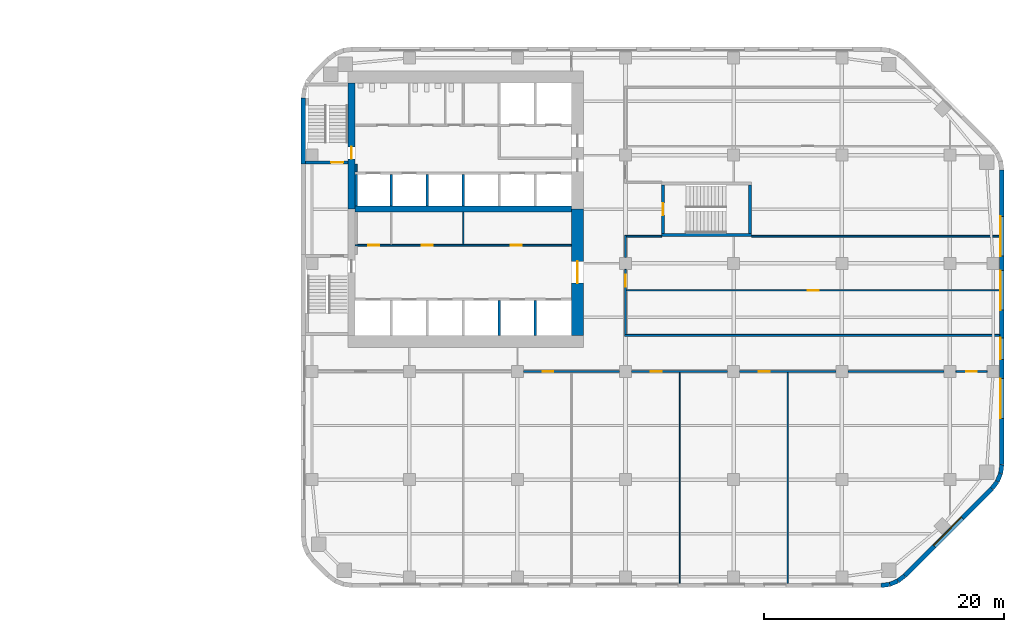
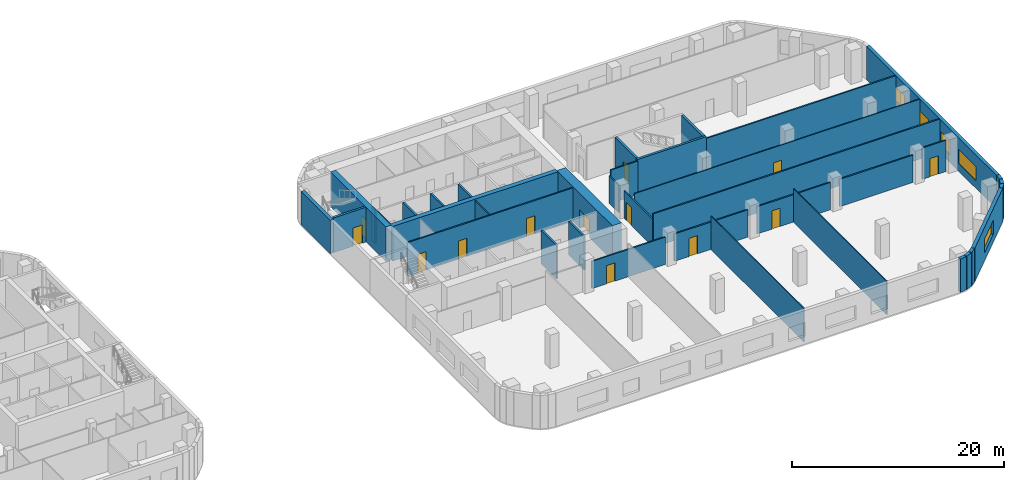
# One storey, part 9 of 15: 38 walls, 13 doors, 5 windows, 18 openings.
"""IFC4 building model written with IfcOpenShell, lengths in metres."""

import ifcopenshell
import ifcopenshell.guid

model = None  # the IFC model being written
_history = None  # IfcOwnerHistory: only IFC2X3 demands one
_inside = {}  # id of a spatial element -> (the spatial element, [elements in it])
_under = {}  # id of a project, library or spatial element -> (it, [spatial elements below it])
_declared = {}  # id of a project -> (the project, [libraries it declares])
_typed = {}  # id of a type object -> (the type object, [elements of that type])
_made_of = {}  # id of a material, layer set ... -> (it, [elements and type objects made of it])


def new_model(schema):
    """Start an empty IFC model of exactly this schema.

    Asked for "IFC4X3", IfcOpenShell would pick the latest addendum, in which some entities
    have other attributes; the version numbers below select the first issue.
    IFC2X3 requires an IfcOwnerHistory on every rooted entity: one is made here for all.
    """
    global model, _history
    if schema == "IFC4X3":
        model = ifcopenshell.file(schema_version=(4, 3, 0, 0))
    else:
        model = ifcopenshell.file(schema=schema)
    _inside.clear()
    _under.clear()
    _declared.clear()
    _typed.clear()
    _made_of.clear()
    _history = None
    if model.schema == "IFC2X3":
        org = make("IfcOrganization", Name="unknown")
        user = make(
            "IfcPersonAndOrganization",
            ThePerson=make("IfcPerson", FamilyName="unknown"),
            TheOrganization=org,
        )
        app = make(
            "IfcApplication",
            ApplicationDeveloper=org,
            Version="unknown",
            ApplicationFullName="unknown",
            ApplicationIdentifier="unknown",
        )
        _history = make(
            "IfcOwnerHistory",
            OwningUser=user,
            OwningApplication=app,
            ChangeAction="ADDED",
            CreationDate=0,
        )
    return model


def make(cls, **values):
    """One entity of the class cls with the attributes given. An attribute that is None is left unset."""
    return model.create_entity(
        cls, **{name: value for name, value in values.items() if value is not None}
    )


def rooted(cls, **values):
    """An entity with a GlobalId (a new one), such as an element, a storey or a relation."""
    return make(cls, GlobalId=ifcopenshell.guid.new(), OwnerHistory=_history, **values)


def si_unit(unit_type, name, prefix=None):
    """IfcSIUnit, for example si_unit("LENGTHUNIT", "METRE", prefix="MILLI")."""
    return make("IfcSIUnit", UnitType=unit_type, Prefix=prefix, Name=name)


def assignment(units):
    """IfcUnitAssignment: the units of a project."""
    return None if units is None else make("IfcUnitAssignment", Units=units)


def point(xyz):
    """IfcCartesianPoint."""
    return None if xyz is None else make("IfcCartesianPoint", Coordinates=xyz)


def direction(xyz):
    """IfcDirection."""
    return None if xyz is None else make("IfcDirection", DirectionRatios=xyz)


def frame(location, z_axis=None, x_axis=None):
    """IfcAxis2Placement3D, a coordinate frame: its origin and axes. An axis left out is left unset."""
    return make(
        "IfcAxis2Placement3D",
        Location=point(location),
        Axis=direction(z_axis),
        RefDirection=direction(x_axis),
    )


def frame_2d(location, x_axis=None):
    """IfcAxis2Placement2D, a coordinate frame in the plane: its origin and x axis."""
    return make(
        "IfcAxis2Placement2D", Location=point(location), RefDirection=direction(x_axis)
    )


def origin():
    """The frame at (0, 0, 0) with its axes left unset."""
    return frame((0.0, 0.0, 0.0))


def place(relative_to, where):
    """IfcLocalPlacement: puts the frame where relative to a parent placement (None: the world)."""
    return make(
        "IfcLocalPlacement", PlacementRelTo=relative_to, RelativePlacement=where
    )


def context(
    kind, dimensions, precision=None, world=None, true_north=None, identifier=None
):
    """IfcGeometricRepresentationContext, for example the 3D "Model" context."""
    return make(
        "IfcGeometricRepresentationContext",
        ContextIdentifier=identifier,
        ContextType=kind,
        CoordinateSpaceDimension=dimensions,
        Precision=precision,
        WorldCoordinateSystem=world,
        TrueNorth=true_north,
    )


def subcontext(parent, identifier, kind, view, scale=None):
    """IfcGeometricRepresentationSubContext, for example "Body" below "Model"."""
    return make(
        "IfcGeometricRepresentationSubContext",
        ContextIdentifier=identifier,
        ContextType=kind,
        ParentContext=parent,
        TargetScale=scale,
        TargetView=view,
    )


def project(units=None, contexts=None):
    """IfcProject with its units and contexts."""
    return rooted(
        "IfcProject",
        Name="project",
        RepresentationContexts=contexts,
        UnitsInContext=assignment(units),
    )


def spatial(cls, under=None, at=None, **own):
    """A site, building, storey or space (cls), placed at a placement, below another one or the project."""
    s = rooted(cls, ObjectPlacement=at, **own)
    if under is not None:
        _under.setdefault(under.id(), (under, []))[1].append(s)
    return s


def profile(cls, at=None, kind="AREA", **sizes):
    """A parametric profile (cls). Its sizes go by their IFC names, for example OverallWidth=200.0."""
    return make(cls, ProfileType=kind, Position=at, **sizes)


def rectangle(**sizes):
    """IfcRectangleProfileDef."""
    return profile("IfcRectangleProfileDef", **sizes)


def extrude(swept, where, along, depth):
    """IfcExtrudedAreaSolid: the profile swept, set in the frame where, extruded along a direction by depth."""
    return make(
        "IfcExtrudedAreaSolid",
        SweptArea=swept,
        Position=where,
        ExtrudedDirection=direction(along),
        Depth=depth,
    )


def shape(context_of_items, identifier, shape_type, items):
    """IfcShapeRepresentation: the items that make up one representation, for example the "Body"."""
    return make(
        "IfcShapeRepresentation",
        ContextOfItems=context_of_items,
        RepresentationIdentifier=identifier,
        RepresentationType=shape_type,
        Items=items,
    )


def material(Name=None, Category=None):
    """IfcMaterial."""
    return make("IfcMaterial", Name=Name, Category=Category)


def layer(
    of_material, thickness, ventilated=None, Name=None, Category=None, Priority=None
):
    """IfcMaterialLayer: one layer of a wall or slab, of a material (None: an air gap)."""
    return make(
        "IfcMaterialLayer",
        Material=of_material,
        LayerThickness=thickness,
        IsVentilated=ventilated,
        Name=Name,
        Category=Category,
        Priority=Priority,
    )


def layer_set(layers, Name=None):
    """IfcMaterialLayerSet."""
    return make("IfcMaterialLayerSet", MaterialLayers=layers, LayerSetName=Name)


def made_of(thing, what):
    """Note that an element or type object is made of a material, layer set ...; save() writes the relation."""
    if what is not None:
        _made_of.setdefault(what.id(), (what, []))[1].append(thing)
    return thing


def type_object(cls, material=None, **own):
    """A type object (cls), such as IfcWallType, which elements share."""
    return made_of(rooted(cls, **own), material)


def element(
    cls,
    number,
    at=None,
    inside=None,
    cuts=None,
    type_object=None,
    material=None,
    context=None,
    identifier="Body",
    shape_type=None,
    held_by="IfcProductDefinitionShape",
    body=None,
    shapes=None,
    **own,
):
    """One element of the class cls, such as IfcWall. Its Tag is "e" and its number.

    at: its placement. inside: the storey or other place that contains it. cuts: it is an
    opening in that element (IfcRelVoidsElement). A single representation is given by context,
    identifier, shape_type and body (its items); several are given by shapes. held_by: the class
    of the entity that holds the representations. save() writes the other relations.
    """
    e = rooted(cls, Tag="e%d" % number, ObjectPlacement=at, **own)
    if body is not None:
        shapes = [shape(context, identifier, shape_type, body)]
    if shapes is not None:
        e.Representation = make(held_by, Representations=shapes)
    if inside is not None:
        _inside.setdefault(inside.id(), (inside, []))[1].append(e)
    if cuts is not None:
        rooted(
            "IfcRelVoidsElement", RelatingBuildingElement=cuts, RelatedOpeningElement=e
        )
    if type_object is not None:
        _typed.setdefault(type_object.id(), (type_object, []))[1].append(e)
    return made_of(e, material)


def fill(opening, filler):
    """IfcRelFillsElement: the door or window that sits in an opening."""
    return rooted(
        "IfcRelFillsElement",
        RelatingOpeningElement=opening,
        RelatedBuildingElement=filler,
    )


def aggregate(whole, parts):
    """IfcRelAggregates: a whole, such as a stair, and the parts it consists of."""
    return rooted("IfcRelAggregates", RelatingObject=whole, RelatedObjects=parts)


def save(model, path):
    """Write the relations noted so far, then the file.

    IfcRelAggregates (storeys below a building ...), IfcRelContainedInSpatialStructure (elements
    in a storey), IfcRelDefinesByType, IfcRelAssociatesMaterial and IfcRelDeclares: one each for
    every whole, place, type object, material and project.
    """
    for whole, parts in _under.values():
        aggregate(whole, parts)
    for where, things in _inside.values():
        rooted(
            "IfcRelContainedInSpatialStructure",
            RelatedElements=things,
            RelatingStructure=where,
        )
    for kind, things in _typed.values():
        rooted("IfcRelDefinesByType", RelatedObjects=things, RelatingType=kind)
    for what, things in _made_of.values():
        rooted("IfcRelAssociatesMaterial", RelatedObjects=things, RelatingMaterial=what)
    for by, libraries in _declared.values():
        rooted("IfcRelDeclares", RelatingContext=by, RelatedDefinitions=libraries)
    model.write(path)


model = new_model("IFC4")

# Units and contexts
model_context = context("Model", 3, precision=1e-05, world=origin(), true_north=direction((0.0, 1.0)))
body_context = subcontext(model_context, "Body", "Model", "MODEL_VIEW")
ifc_project = project(units=[si_unit("LENGTHUNIT", "METRE"), si_unit("AREAUNIT", "SQUARE_METRE"), si_unit("VOLUMEUNIT", "CUBIC_METRE"), si_unit("PLANEANGLEUNIT", "RADIAN"), si_unit("MASSUNIT", "GRAM", prefix="KILO")], contexts=[model_context])

# Site, building, storey
site_placement = place(None, origin())
site = spatial("IfcSite", under=ifc_project, at=site_placement, CompositionType="ELEMENT")
building_placement = place(site_placement, origin())
building = spatial("IfcBuilding", under=site, at=building_placement, Name="Cinnabar Reach Civic Tower", CompositionType="ELEMENT")
storey_placement = place(building_placement, frame((0.0, 0.0, 63.0)))
storey = spatial("IfcBuildingStorey", under=building, at=storey_placement, Name="L14", CompositionType="ELEMENT", Elevation=63.0)

# Walls
ifc_material_1 = material(Name="Facing brick with insulated backing", Category="masonry")
ifc_layer_1 = layer(ifc_material_1, 0.36)
ifc_layer_set_1 = layer_set([ifc_layer_1], Name="Brick corner wall")
wall_type_1 = type_object("IfcWallType", Name="Brick corner wall", PredefinedType="STANDARD", material=ifc_layer_set_1)
for number, where, z_axis, x_axis, name in (
    (1, (48.2686, 0.183, 0.0), (0.0, 0.0, 1.0), (0.99144092581, 0.13055608231, 0.0), "Brick corner wall"),
    (2, (48.9973, 0.2819, 0.0), (0.0, 0.0, 1.0), (0.923871547278, 0.382702709855, 0.0), "Brick corner wall"),
):
    element("IfcWall", number, at=place(storey_placement, frame(where, z_axis=z_axis, x_axis=x_axis)), inside=storey, type_object=wall_type_1, Name=name, PredefinedType="STANDARD", context=body_context, shape_type="SweptSolid", body=[
        extrude(rectangle(XDim=0.7131, YDim=0.36, at=frame_2d((0.3565, 0.0))), origin(), (0.0, 0.0, 1.0), 3.85),
    ])
for number, where, z_axis, x_axis, name in (
    (3, (49.6755, 0.566, 0.0), (0.0, 0.0, 1.0), (0.793321924995, 0.608802368033, 0.0), "Brick corner wall"),
    (4, (57.4998, 8.2587, 0.0), (0.0, 0.0, 1.0), (0.608802368033, 0.793321924995, 0.0), "Brick corner wall"),
):
    element("IfcWall", number, at=place(storey_placement, frame(where, z_axis=z_axis, x_axis=x_axis)), inside=storey, type_object=wall_type_1, Name=name, PredefinedType="STANDARD", context=body_context, shape_type="SweptSolid", body=[
        extrude(rectangle(XDim=0.7132, YDim=0.36, at=frame_2d((0.3566, 0.0))), origin(), (0.0, 0.0, 1.0), 3.85),
    ])
for number, where, z_axis, x_axis, name in (
    (5, (57.9452, 8.8439, 0.0), (0.0, 0.0, 1.0), (0.382702709855, 0.923871547278, 0.0), "Brick corner wall"),
    (6, (58.2239, 9.5244, 0.0), (0.0, 0.0, 1.0), (0.13055608231, 0.99144092581, 0.0), "Brick corner wall"),
):
    element("IfcWall", number, at=place(storey_placement, frame(where, z_axis=z_axis, x_axis=x_axis)), inside=storey, type_object=wall_type_1, Name=name, PredefinedType="STANDARD", context=body_context, shape_type="SweptSolid", body=[
        extrude(rectangle(XDim=0.7131, YDim=0.36, at=frame_2d((0.3565, 0.0))), origin(), (0.0, 0.0, 1.0), 3.85),
    ])

# Wall, opening, window
ifc_layer_2 = layer(ifc_material_1, 0.36)
ifc_layer_set_2 = layer_set([ifc_layer_2], Name="Brick pier and spandrel wall")
wall_type_2 = type_object("IfcWallType", Name="Brick pier and spandrel wall", PredefinedType="STANDARD", material=ifc_layer_set_2)
wall_1_placement = place(storey_placement, frame((50.2514, 1.006, 0.0), z_axis=(0.0, 0.0, 1.0), x_axis=(0.707106781187, 0.707106781187, 0.0)))
wall_1 = element("IfcWall", 7, at=wall_1_placement, inside=storey, type_object=wall_type_2, Name="Brick facade wall", PredefinedType="STANDARD", context=body_context, shape_type="SweptSolid", body=[
    extrude(rectangle(XDim=10.2426, YDim=0.36, at=frame_2d((5.1213, 0.0))), origin(), (0.0, 0.0, 1.0), 3.85),
])
opening_1_placement = place(wall_1_placement, frame((3.4713, 0.0, 0.9)))
opening_1 = element("IfcOpeningElement", 8, at=opening_1_placement, cuts=wall_1, Name="Opening W1249", PredefinedType="OPENING", context=body_context, shape_type="SweptSolid", body=[
    extrude(rectangle(XDim=3.3, YDim=1.6, at=frame_2d((1.65, 0.8))), frame((0.0, 0.19, 0.0), z_axis=(0.0, -1.0, 0.0), x_axis=(1.0, 0.0, 0.0)), (0.0, 0.0, 1.0), 0.38),
])
ifc_material_2 = material(Name="Clear double glazing in aluminium frame", Category="aluminium")
window_type_1 = type_object("IfcWindowType", Name="Deep-set window A", PartitioningType="SINGLE_PANEL", PredefinedType="WINDOW", material=ifc_material_2)
window_1_placement = place(opening_1_placement, origin())
window_1 = element("IfcWindow", 9, at=window_1_placement, inside=storey, type_object=window_type_1, Name="Window southeast face", OverallHeight=1.6, OverallWidth=3.3, PartitioningType="SINGLE_PANEL", PredefinedType="WINDOW", context=body_context, shape_type="SweptSolid", body=[
    extrude(rectangle(XDim=3.3, YDim=1.6, at=frame_2d((1.65, 0.8))), frame((0.0, 0.13, 0.0), z_axis=(0.0, -1.0, 0.0), x_axis=(1.0, 0.0, 0.0)), (0.0, 0.0, 1.0), 0.06),
])
fill(opening_1, window_1)

# Wall, openings, windows
wall_2_placement = place(storey_placement, frame((58.32, 10.2426, 0.0), z_axis=(0.0, 0.0, 1.0), x_axis=(0.0, 1.0, 0.0)))
wall_2 = element("IfcWall", 10, at=wall_2_placement, inside=storey, type_object=wall_type_2, Name="Brick facade wall", PredefinedType="STANDARD", context=body_context, shape_type="SweptSolid", body=[
    extrude(rectangle(XDim=24.5148, YDim=0.36, at=frame_2d((12.2574, 0.0))), origin(), (0.0, 0.0, 1.0), 3.85),
])
opening_2_placement = place(wall_2_placement, frame((3.8574, 0.0, 0.9)))
opening_2 = element("IfcOpeningElement", 11, at=opening_2_placement, cuts=wall_2, Name="Opening W1250", PredefinedType="OPENING", context=body_context, shape_type="SweptSolid", body=[
    extrude(rectangle(XDim=3.3, YDim=1.6, at=frame_2d((1.65, 0.8))), frame((0.0, 0.19, 0.0), z_axis=(0.0, -1.0, 0.0), x_axis=(1.0, 0.0, 0.0)), (0.0, 0.0, 1.0), 0.38),
])
opening_3_placement = place(wall_2_placement, frame((8.7574, 0.0, 0.9)))
opening_3 = element("IfcOpeningElement", 12, at=opening_3_placement, cuts=wall_2, Name="Opening W1251", PredefinedType="OPENING", context=body_context, shape_type="SweptSolid", body=[
    extrude(rectangle(XDim=1.8, YDim=1.6, at=frame_2d((0.9, 0.8))), frame((0.0, 0.19, 0.0), z_axis=(0.0, -1.0, 0.0), x_axis=(1.0, 0.0, 0.0)), (0.0, 0.0, 1.0), 0.38),
])
opening_4_placement = place(wall_2_placement, frame((12.8574, 0.0, 0.9)))
opening_4 = element("IfcOpeningElement", 13, at=opening_4_placement, cuts=wall_2, Name="Opening W1252", PredefinedType="OPENING", context=body_context, shape_type="SweptSolid", body=[
    extrude(rectangle(XDim=3.3, YDim=1.6, at=frame_2d((1.65, 0.8))), frame((0.0, 0.19, 0.0), z_axis=(0.0, -1.0, 0.0), x_axis=(1.0, 0.0, 0.0)), (0.0, 0.0, 1.0), 0.38),
])
opening_5_placement = place(wall_2_placement, frame((17.3574, 0.0, 0.9)))
opening_5 = element("IfcOpeningElement", 14, at=opening_5_placement, cuts=wall_2, Name="Opening W1253", PredefinedType="OPENING", context=body_context, shape_type="SweptSolid", body=[
    extrude(rectangle(XDim=3.3, YDim=1.6, at=frame_2d((1.65, 0.8))), frame((0.0, 0.19, 0.0), z_axis=(0.0, -1.0, 0.0), x_axis=(1.0, 0.0, 0.0)), (0.0, 0.0, 1.0), 0.38),
])
window_2_placement = place(opening_2_placement, origin())
window_2 = element("IfcWindow", 15, at=window_2_placement, inside=storey, type_object=window_type_1, Name="Window east face", OverallHeight=1.6, OverallWidth=3.3, PartitioningType="SINGLE_PANEL", PredefinedType="WINDOW", context=body_context, shape_type="SweptSolid", body=[
    extrude(rectangle(XDim=3.3, YDim=1.6, at=frame_2d((1.65, 0.8))), frame((0.0, 0.13, 0.0), z_axis=(0.0, -1.0, 0.0), x_axis=(1.0, 0.0, 0.0)), (0.0, 0.0, 1.0), 0.06),
])
fill(opening_2, window_2)
window_3_placement = place(opening_4_placement, origin())
window_3 = element("IfcWindow", 16, at=window_3_placement, inside=storey, type_object=window_type_1, Name="Window east face", OverallHeight=1.6, OverallWidth=3.3, PartitioningType="SINGLE_PANEL", PredefinedType="WINDOW", context=body_context, shape_type="SweptSolid", body=[
    extrude(rectangle(XDim=3.3, YDim=1.6, at=frame_2d((1.65, 0.8))), frame((0.0, 0.13, 0.0), z_axis=(0.0, -1.0, 0.0), x_axis=(1.0, 0.0, 0.0)), (0.0, 0.0, 1.0), 0.06),
])
fill(opening_4, window_3)
window_4_placement = place(opening_5_placement, origin())
window_4 = element("IfcWindow", 17, at=window_4_placement, inside=storey, type_object=window_type_1, Name="Window east face", OverallHeight=1.6, OverallWidth=3.3, PartitioningType="SINGLE_PANEL", PredefinedType="WINDOW", context=body_context, shape_type="SweptSolid", body=[
    extrude(rectangle(XDim=3.3, YDim=1.6, at=frame_2d((1.65, 0.8))), frame((0.0, 0.13, 0.0), z_axis=(0.0, -1.0, 0.0), x_axis=(1.0, 0.0, 0.0)), (0.0, 0.0, 1.0), 0.06),
])
fill(opening_5, window_4)
window_type_2 = type_object("IfcWindowType", Name="Deep-set window D", PartitioningType="SINGLE_PANEL", PredefinedType="WINDOW", material=ifc_material_2)
window_5_placement = place(opening_3_placement, origin())
window_5 = element("IfcWindow", 18, at=window_5_placement, inside=storey, type_object=window_type_2, Name="Window east face", OverallHeight=1.6, OverallWidth=1.8, PartitioningType="SINGLE_PANEL", PredefinedType="WINDOW", context=body_context, shape_type="SweptSolid", body=[
    extrude(rectangle(XDim=1.8, YDim=1.6, at=frame_2d((0.9, 0.8))), frame((0.0, 0.13, 0.0), z_axis=(0.0, -1.0, 0.0), x_axis=(1.0, 0.0, 0.0)), (0.0, 0.0, 1.0), 0.06),
])
fill(opening_3, window_5)

# Wall
wall_3_placement = place(storey_placement, frame((0.18, 40.7574, 0.0), z_axis=(0.0, 0.0, 1.0), x_axis=(0.0, -1.0, 0.0)))
element("IfcWall", 19, at=wall_3_placement, inside=storey, type_object=wall_type_2, Name="Brick facade wall", PredefinedType="STANDARD", context=body_context, shape_type="SweptSolid", body=[
    extrude(rectangle(XDim=5.5074, YDim=0.36, at=frame_2d((2.7537, 0.0))), origin(), (0.0, 0.0, 1.0), 3.85),
])

# Wall, opening, door
ifc_material_3 = material(Name="Concrete C70", Category="concrete")
ifc_layer_3 = layer(ifc_material_3, 1.0)
ifc_layer_set_3 = layer_set([ifc_layer_3], Name="Core wall 1000 EI 180")
wall_type_3 = type_object("IfcWallType", Name="Core wall 1000 EI 180", PredefinedType="SOLIDWALL", material=ifc_layer_set_3)
wall_4_placement = place(storey_placement, frame((23.0, 21.0, 0.0), z_axis=(0.0, 0.0, 1.0), x_axis=(0.0, 1.0, 0.0)))
wall_4 = element("IfcWall", 20, at=wall_4_placement, inside=storey, type_object=wall_type_3, Name="Core wall T1 L14 E", PredefinedType="SOLIDWALL", context=body_context, shape_type="SweptSolid", body=[
    extrude(rectangle(XDim=10.5, YDim=1.0, at=frame_2d((5.25, 0.0))), origin(), (0.0, 0.0, 1.0), 4.0),
])
opening_6_placement = place(wall_4_placement, frame((4.35, 0.0, 0.0)))
opening_6 = element("IfcOpeningElement", 21, at=opening_6_placement, cuts=wall_4, Name="Opening D3574", PredefinedType="OPENING", context=body_context, shape_type="SweptSolid", body=[
    extrude(rectangle(XDim=1.8, YDim=2.1, at=frame_2d((0.9, 1.05))), frame((0.0, 0.51, 0.0), z_axis=(0.0, -1.0, 0.0), x_axis=(1.0, 0.0, 0.0)), (0.0, 0.0, 1.0), 1.02),
])
ifc_material_4 = material(Name="Timber door leaf in steel frame", Category="steel")
door_type_1 = type_object("IfcDoorType", Name="Double swing door 1800 x 2100 T1", OperationType="DOUBLE_DOOR_DOUBLE_SWING", PredefinedType="DOOR", material=ifc_material_4)
door_1_placement = place(opening_6_placement, origin())
door_1 = element("IfcDoor", 22, at=door_1_placement, inside=storey, type_object=door_type_1, Name="Door D3574", OperationType="DOUBLE_DOOR_DOUBLE_SWING", OverallHeight=2.1, OverallWidth=1.8, PredefinedType="DOOR", context=body_context, shape_type="SweptSolid", body=[
    extrude(rectangle(XDim=1.8, YDim=2.1, at=frame_2d((0.9, 1.05))), frame((0.0, 0.025, 0.0), z_axis=(0.0, -1.0, 0.0), x_axis=(1.0, 0.0, 0.0)), (0.0, 0.0, 1.0), 0.05),
])
fill(opening_6, door_1)

# Wall
ifc_material_5 = material(Name="Concrete C60", Category="concrete")
ifc_layer_4 = layer(ifc_material_5, 0.5)
ifc_layer_set_4 = layer_set([ifc_layer_4], Name="Core wall 500 EI 180")
wall_type_4 = type_object("IfcWallType", Name="Core wall 500 EI 180", PredefinedType="SOLIDWALL", material=ifc_layer_set_4)
wall_5_placement = place(storey_placement, frame((4.5, 31.5, 0.0), z_axis=(0.0, 0.0, 1.0), x_axis=(1.0, 0.0, 0.0)))
element("IfcWall", 23, at=wall_5_placement, inside=storey, type_object=wall_type_4, Name="Core spine wall T1 L14", PredefinedType="SOLIDWALL", context=body_context, shape_type="SweptSolid", body=[
    extrude(rectangle(XDim=18.0, YDim=0.5, at=frame_2d((9.0, 0.0))), origin(), (0.0, 0.0, 1.0), 4.0),
])

# Wall, opening, door
ifc_layer_5 = layer(ifc_material_3, 0.6)
ifc_layer_set_5 = layer_set([ifc_layer_5], Name="Core wall 600 EI 180")
wall_type_5 = type_object("IfcWallType", Name="Core wall 600 EI 180", PredefinedType="SOLIDWALL", material=ifc_layer_set_5)
wall_6_placement = place(storey_placement, frame((4.2, 42.0, 0.0), z_axis=(0.0, 0.0, 1.0), x_axis=(0.0, -1.0, 0.0)))
wall_6 = element("IfcWall", 24, at=wall_6_placement, inside=storey, type_object=wall_type_5, Name="Core wall T1 L14 W", PredefinedType="SOLIDWALL", context=body_context, shape_type="SweptSolid", body=[
    extrude(rectangle(XDim=10.5, YDim=0.6, at=frame_2d((5.25, 0.0))), origin(), (0.0, 0.0, 1.0), 4.0),
])
opening_7_placement = place(wall_6_placement, frame((5.3, 0.0, 0.0)))
opening_7 = element("IfcOpeningElement", 25, at=opening_7_placement, cuts=wall_6, Name="Opening D3560", PredefinedType="OPENING", context=body_context, shape_type="SweptSolid", body=[
    extrude(rectangle(XDim=1.0, YDim=2.1, at=frame_2d((0.5, 1.05))), frame((0.0, 0.31, 0.0), z_axis=(0.0, -1.0, 0.0), x_axis=(1.0, 0.0, 0.0)), (0.0, 0.0, 1.0), 0.62),
])
door_type_2 = type_object("IfcDoorType", Name="Stair door 1000 x 2100 T1", OperationType="SINGLE_SWING_LEFT", PredefinedType="DOOR", material=ifc_material_4)
door_2_placement = place(opening_7_placement, frame((1.0, 0.0, 0.0), z_axis=(0.0, 0.0, 1.0), x_axis=(-1.0, 0.0, 0.0)))
door_2 = element("IfcDoor", 26, at=door_2_placement, inside=storey, type_object=door_type_2, Name="Door D3560", OperationType="SINGLE_SWING_LEFT", OverallHeight=2.1, OverallWidth=1.0, PredefinedType="DOOR", context=body_context, shape_type="SweptSolid", body=[
    extrude(rectangle(XDim=1.0, YDim=2.1, at=frame_2d((0.5, 1.05))), frame((0.0, 0.025, 0.0), z_axis=(0.0, -1.0, 0.0), x_axis=(1.0, 0.0, 0.0)), (0.0, 0.0, 1.0), 0.05),
])
fill(opening_7, door_2)

ifc_material_6 = material(Name="Gypsum board on steel studs, double layer", Category="steel")
ifc_layer_6 = layer(ifc_material_6, 0.15)
ifc_layer_set_6 = layer_set([ifc_layer_6], Name="Corridor wall 150 T1")
wall_type_6 = type_object("IfcWallType", Name="Corridor wall 150 T1", PredefinedType="PARTITIONING", material=ifc_layer_set_6)
wall_7_placement = place(storey_placement, frame((54.5, 18.0, 0.0), z_axis=(0.0, 0.0, 1.0), x_axis=(1.0, 0.0, 0.0)))
wall_7 = element("IfcWall", 27, at=wall_7_placement, inside=storey, type_object=wall_type_6, Name="Corridor wall 19", PredefinedType="PARTITIONING", context=body_context, shape_type="SweptSolid", body=[
    extrude(rectangle(XDim=2.6, YDim=0.15, at=frame_2d((1.3, 0.0))), origin(), (0.0, 0.0, 1.0), 3.602),
])
opening_8_placement = place(wall_7_placement, frame((0.85, 0.0, 0.0)))
opening_8 = element("IfcOpeningElement", 28, at=opening_8_placement, cuts=wall_7, Name="Opening D3593", PredefinedType="OPENING", context=body_context, shape_type="SweptSolid", body=[
    extrude(rectangle(XDim=0.9, YDim=2.1, at=frame_2d((0.45, 1.05))), frame((0.0, 0.085, 0.0), z_axis=(0.0, -1.0, 0.0), x_axis=(1.0, 0.0, 0.0)), (0.0, 0.0, 1.0), 0.17),
])
door_type_3 = type_object("IfcDoorType", Name="Single swing door 900 x 2100 corridor T1", OperationType="SINGLE_SWING_LEFT", PredefinedType="DOOR", material=ifc_material_4)
door_3_placement = place(opening_8_placement, frame((0.9, 0.0, 0.0), z_axis=(0.0, 0.0, 1.0), x_axis=(-1.0, 0.0, 0.0)))
door_3 = element("IfcDoor", 29, at=door_3_placement, inside=storey, type_object=door_type_3, Name="Door D3593", OperationType="SINGLE_SWING_LEFT", OverallHeight=2.1, OverallWidth=0.9, PredefinedType="DOOR", context=body_context, shape_type="SweptSolid", body=[
    extrude(rectangle(XDim=0.9, YDim=2.1, at=frame_2d((0.45, 1.05))), frame((0.0, 0.025, 0.0), z_axis=(0.0, -1.0, 0.0), x_axis=(1.0, 0.0, 0.0)), (0.0, 0.0, 1.0), 0.05),
])
fill(opening_8, door_3)

# Wall
wall_8_placement = place(storey_placement, frame((45.5, 18.0, 0.0), z_axis=(0.0, 0.0, 1.0), x_axis=(1.0, 0.0, 0.0)))
element("IfcWall", 30, at=wall_8_placement, inside=storey, type_object=wall_type_6, Name="Corridor wall 20", PredefinedType="PARTITIONING", context=body_context, shape_type="SweptSolid", body=[
    extrude(rectangle(XDim=8.0, YDim=0.15, at=frame_2d((4.0, 0.0))), origin(), (0.0, 0.0, 1.0), 3.15),
])

# Wall, opening, door
wall_9_placement = place(storey_placement, frame((36.5, 18.0, 0.0), z_axis=(0.0, 0.0, 1.0), x_axis=(1.0, 0.0, 0.0)))
wall_9 = element("IfcWall", 31, at=wall_9_placement, inside=storey, type_object=wall_type_6, Name="Corridor wall 21", PredefinedType="PARTITIONING", context=body_context, shape_type="SweptSolid", body=[
    extrude(rectangle(XDim=8.0, YDim=0.15, at=frame_2d((4.0, 0.0))), origin(), (0.0, 0.0, 1.0), 3.15),
])
opening_9_placement = place(wall_9_placement, frame((1.6, 0.0, 0.0)))
opening_9 = element("IfcOpeningElement", 32, at=opening_9_placement, cuts=wall_9, Name="Opening D3592", PredefinedType="OPENING", context=body_context, shape_type="SweptSolid", body=[
    extrude(rectangle(XDim=0.9, YDim=2.1, at=frame_2d((0.45, 1.05))), frame((0.0, 0.085, 0.0), z_axis=(0.0, -1.0, 0.0), x_axis=(1.0, 0.0, 0.0)), (0.0, 0.0, 1.0), 0.17),
])
door_4_placement = place(opening_9_placement, frame((0.9, 0.0, 0.0), z_axis=(0.0, 0.0, 1.0), x_axis=(-1.0, 0.0, 0.0)))
door_4 = element("IfcDoor", 33, at=door_4_placement, inside=storey, type_object=door_type_3, Name="Door D3592", OperationType="SINGLE_SWING_LEFT", OverallHeight=2.1, OverallWidth=0.9, PredefinedType="DOOR", context=body_context, shape_type="SweptSolid", body=[
    extrude(rectangle(XDim=0.9, YDim=2.1, at=frame_2d((0.45, 1.05))), frame((0.0, 0.025, 0.0), z_axis=(0.0, -1.0, 0.0), x_axis=(1.0, 0.0, 0.0)), (0.0, 0.0, 1.0), 0.05),
])
fill(opening_9, door_4)

wall_10_placement = place(storey_placement, frame((27.5, 18.0, 0.0), z_axis=(0.0, 0.0, 1.0), x_axis=(1.0, 0.0, 0.0)))
wall_10 = element("IfcWall", 34, at=wall_10_placement, inside=storey, type_object=wall_type_6, Name="Corridor wall 22", PredefinedType="PARTITIONING", context=body_context, shape_type="SweptSolid", body=[
    extrude(rectangle(XDim=8.0, YDim=0.15, at=frame_2d((4.0, 0.0))), origin(), (0.0, 0.0, 1.0), 3.15),
])
opening_10_placement = place(wall_10_placement, frame((1.6, 0.0, 0.0)))
opening_10 = element("IfcOpeningElement", 35, at=opening_10_placement, cuts=wall_10, Name="Opening D3591", PredefinedType="OPENING", context=body_context, shape_type="SweptSolid", body=[
    extrude(rectangle(XDim=0.9, YDim=2.1, at=frame_2d((0.45, 1.05))), frame((0.0, 0.085, 0.0), z_axis=(0.0, -1.0, 0.0), x_axis=(1.0, 0.0, 0.0)), (0.0, 0.0, 1.0), 0.17),
])
door_5_placement = place(opening_10_placement, frame((0.9, 0.0, 0.0), z_axis=(0.0, 0.0, 1.0), x_axis=(-1.0, 0.0, 0.0)))
door_5 = element("IfcDoor", 36, at=door_5_placement, inside=storey, type_object=door_type_3, Name="Door D3591", OperationType="SINGLE_SWING_LEFT", OverallHeight=2.1, OverallWidth=0.9, PredefinedType="DOOR", context=body_context, shape_type="SweptSolid", body=[
    extrude(rectangle(XDim=0.9, YDim=2.1, at=frame_2d((0.45, 1.05))), frame((0.0, 0.025, 0.0), z_axis=(0.0, -1.0, 0.0), x_axis=(1.0, 0.0, 0.0)), (0.0, 0.0, 1.0), 0.05),
])
fill(opening_10, door_5)

wall_11_placement = place(storey_placement, frame((18.5, 18.0, 0.0), z_axis=(0.0, 0.0, 1.0), x_axis=(1.0, 0.0, 0.0)))
wall_11 = element("IfcWall", 37, at=wall_11_placement, inside=storey, type_object=wall_type_6, Name="Corridor wall 23", PredefinedType="PARTITIONING", context=body_context, shape_type="SweptSolid", body=[
    extrude(rectangle(XDim=8.0, YDim=0.15, at=frame_2d((4.0, 0.0))), origin(), (0.0, 0.0, 1.0), 3.15),
])
opening_11_placement = place(wall_11_placement, frame((1.6, 0.0, 0.0)))
opening_11 = element("IfcOpeningElement", 38, at=opening_11_placement, cuts=wall_11, Name="Opening D3590", PredefinedType="OPENING", context=body_context, shape_type="SweptSolid", body=[
    extrude(rectangle(XDim=0.9, YDim=2.1, at=frame_2d((0.45, 1.05))), frame((0.0, 0.085, 0.0), z_axis=(0.0, -1.0, 0.0), x_axis=(1.0, 0.0, 0.0)), (0.0, 0.0, 1.0), 0.17),
])
door_6_placement = place(opening_11_placement, frame((0.9, 0.0, 0.0), z_axis=(0.0, 0.0, 1.0), x_axis=(-1.0, 0.0, 0.0)))
door_6 = element("IfcDoor", 39, at=door_6_placement, inside=storey, type_object=door_type_3, Name="Door D3590", OperationType="SINGLE_SWING_RIGHT", OverallHeight=2.1, OverallWidth=0.9, PredefinedType="DOOR", context=body_context, shape_type="SweptSolid", body=[
    extrude(rectangle(XDim=0.9, YDim=2.1, at=frame_2d((0.45, 1.05))), frame((0.0, 0.025, 0.0), z_axis=(0.0, -1.0, 0.0), x_axis=(1.0, 0.0, 0.0)), (0.0, 0.0, 1.0), 0.05),
])
fill(opening_11, door_6)

# Wall
wall_12_placement = place(storey_placement, frame((26.925, 21.0, 0.0), z_axis=(0.0, 0.0, 1.0), x_axis=(1.0, 0.0, 0.0)))
element("IfcWall", 40, at=wall_12_placement, inside=storey, type_object=wall_type_6, Name="Corridor wall 26", PredefinedType="PARTITIONING", context=body_context, shape_type="SweptSolid", body=[
    extrude(rectangle(XDim=31.215, YDim=0.15, at=frame_2d((15.6075, 0.0))), origin(), (0.0, 0.0, 1.0), 3.85),
])

# Wall, openings, doors
wall_13_placement = place(storey_placement, frame((4.5, 28.5, 0.0), z_axis=(0.0, 0.0, 1.0), x_axis=(1.0, 0.0, 0.0)))
wall_13 = element("IfcWall", 41, at=wall_13_placement, inside=storey, type_object=wall_type_6, Name="Corridor wall 28", PredefinedType="PARTITIONING", context=body_context, shape_type="SweptSolid", body=[
    extrude(rectangle(XDim=18.0, YDim=0.15, at=frame_2d((9.0, 0.0))), origin(), (0.0, 0.0, 1.0), 3.85),
])
opening_12_placement = place(wall_13_placement, frame((1.1, 0.0, 0.0)))
opening_12 = element("IfcOpeningElement", 42, at=opening_12_placement, cuts=wall_13, Name="Opening D3578", PredefinedType="OPENING", context=body_context, shape_type="SweptSolid", body=[
    extrude(rectangle(XDim=0.9, YDim=2.1, at=frame_2d((0.45, 1.05))), frame((0.0, 0.085, 0.0), z_axis=(0.0, -1.0, 0.0), x_axis=(1.0, 0.0, 0.0)), (0.0, 0.0, 1.0), 0.17),
])
opening_13_placement = place(wall_13_placement, frame((5.55, 0.0, 0.0)))
opening_13 = element("IfcOpeningElement", 43, at=opening_13_placement, cuts=wall_13, Name="Opening D3579", PredefinedType="OPENING", context=body_context, shape_type="SweptSolid", body=[
    extrude(rectangle(XDim=0.9, YDim=2.1, at=frame_2d((0.45, 1.05))), frame((0.0, 0.085, 0.0), z_axis=(0.0, -1.0, 0.0), x_axis=(1.0, 0.0, 0.0)), (0.0, 0.0, 1.0), 0.17),
])
opening_14_placement = place(wall_13_placement, frame((12.95, 0.0, 0.0)))
opening_14 = element("IfcOpeningElement", 44, at=opening_14_placement, cuts=wall_13, Name="Opening D3580", PredefinedType="OPENING", context=body_context, shape_type="SweptSolid", body=[
    extrude(rectangle(XDim=0.9, YDim=2.1, at=frame_2d((0.45, 1.05))), frame((0.0, 0.085, 0.0), z_axis=(0.0, -1.0, 0.0), x_axis=(1.0, 0.0, 0.0)), (0.0, 0.0, 1.0), 0.17),
])
door_7_placement = place(opening_12_placement, origin())
door_7 = element("IfcDoor", 45, at=door_7_placement, inside=storey, type_object=door_type_3, Name="Door D3578", OperationType="SINGLE_SWING_RIGHT", OverallHeight=2.1, OverallWidth=0.9, PredefinedType="DOOR", context=body_context, shape_type="SweptSolid", body=[
    extrude(rectangle(XDim=0.9, YDim=2.1, at=frame_2d((0.45, 1.05))), frame((0.0, 0.025, 0.0), z_axis=(0.0, -1.0, 0.0), x_axis=(1.0, 0.0, 0.0)), (0.0, 0.0, 1.0), 0.05),
])
fill(opening_12, door_7)
door_8_placement = place(opening_13_placement, origin())
door_8 = element("IfcDoor", 46, at=door_8_placement, inside=storey, type_object=door_type_3, Name="Door D3579", OperationType="SINGLE_SWING_RIGHT", OverallHeight=2.1, OverallWidth=0.9, PredefinedType="DOOR", context=body_context, shape_type="SweptSolid", body=[
    extrude(rectangle(XDim=0.9, YDim=2.1, at=frame_2d((0.45, 1.05))), frame((0.0, 0.025, 0.0), z_axis=(0.0, -1.0, 0.0), x_axis=(1.0, 0.0, 0.0)), (0.0, 0.0, 1.0), 0.05),
])
fill(opening_13, door_8)
door_9_placement = place(opening_14_placement, origin())
door_9 = element("IfcDoor", 47, at=door_9_placement, inside=storey, type_object=door_type_3, Name="Door D3580", OperationType="SINGLE_SWING_LEFT", OverallHeight=2.1, OverallWidth=0.9, PredefinedType="DOOR", context=body_context, shape_type="SweptSolid", body=[
    extrude(rectangle(XDim=0.9, YDim=2.1, at=frame_2d((0.45, 1.05))), frame((0.0, 0.025, 0.0), z_axis=(0.0, -1.0, 0.0), x_axis=(1.0, 0.0, 0.0)), (0.0, 0.0, 1.0), 0.05),
])
fill(opening_14, door_9)

# Wall, opening, door
wall_14_placement = place(storey_placement, frame((27.0, 21.075, 0.0), z_axis=(0.0, 0.0, 1.0), x_axis=(0.0, 1.0, 0.0)))
wall_14 = element("IfcWall", 48, at=wall_14_placement, inside=storey, type_object=wall_type_6, Name="Corridor wall 30", PredefinedType="PARTITIONING", context=body_context, shape_type="SweptSolid", body=[
    extrude(rectangle(XDim=5.425, YDim=0.15, at=frame_2d((2.7125, 0.0))), origin(), (0.0, 0.0, 1.0), 3.158),
])
opening_15_placement = place(wall_14_placement, frame((3.975, 0.0, 0.0)))
opening_15 = element("IfcOpeningElement", 49, at=opening_15_placement, cuts=wall_14, Name="Opening D3587", PredefinedType="OPENING", context=body_context, shape_type="SweptSolid", body=[
    extrude(rectangle(XDim=1.0, YDim=2.1, at=frame_2d((0.5, 1.05))), frame((0.0, 0.085, 0.0), z_axis=(0.0, -1.0, 0.0), x_axis=(1.0, 0.0, 0.0)), (0.0, 0.0, 1.0), 0.17),
])
door_type_4 = type_object("IfcDoorType", Name="Tenancy entrance door 1000 x 2100 T1", OperationType="SINGLE_SWING_LEFT", PredefinedType="DOOR", material=ifc_material_4)
door_10_placement = place(opening_15_placement, frame((1.0, 0.0, 0.0), z_axis=(0.0, 0.0, 1.0), x_axis=(-1.0, 0.0, 0.0)))
door_10 = element("IfcDoor", 50, at=door_10_placement, inside=storey, type_object=door_type_4, Name="Door D3587", OperationType="SINGLE_SWING_RIGHT", OverallHeight=2.1, OverallWidth=1.0, PredefinedType="DOOR", context=body_context, shape_type="SweptSolid", body=[
    extrude(rectangle(XDim=1.0, YDim=2.1, at=frame_2d((0.5, 1.05))), frame((0.0, 0.025, 0.0), z_axis=(0.0, -1.0, 0.0), x_axis=(1.0, 0.0, 0.0)), (0.0, 0.0, 1.0), 0.05),
])
fill(opening_15, door_10)

# Walls
wall_15_placement = place(storey_placement, frame((27.0, 27.5, 0.0), z_axis=(0.0, 0.0, 1.0), x_axis=(0.0, 1.0, 0.0)))
element("IfcWall", 51, at=wall_15_placement, inside=storey, type_object=wall_type_6, Name="Corridor wall 31", PredefinedType="PARTITIONING", context=body_context, shape_type="SweptSolid", body=[
    extrude(rectangle(XDim=1.825, YDim=0.15, at=frame_2d((0.9125, 0.0))), origin(), (0.0, 0.0, 1.0), 3.158),
])
wall_16_placement = place(storey_placement, frame((27.075, 29.25, 0.0), z_axis=(0.0, 0.0, 1.0), x_axis=(1.0, 0.0, 0.0)))
element("IfcWall", 52, at=wall_16_placement, inside=storey, type_object=wall_type_6, Name="Corridor wall 36", PredefinedType="PARTITIONING", context=body_context, shape_type="SweptSolid", body=[
    extrude(rectangle(XDim=2.925, YDim=0.15, at=frame_2d((1.4625, 0.0))), origin(), (0.0, 0.0, 1.0), 3.85),
])
wall_17_placement = place(storey_placement, frame((4.575, 34.6, 0.0), z_axis=(0.0, 0.0, 1.0), x_axis=(0.0, 1.0, 0.0)))
element("IfcWall", 53, at=wall_17_placement, inside=storey, type_object=wall_type_6, Name="Corridor wall 39", PredefinedType="PARTITIONING", context=body_context, shape_type="SweptSolid", body=[
    extrude(rectangle(XDim=0.65, YDim=0.15, at=frame_2d((0.325, 0.0))), origin(), (0.0, 0.0, 1.0), 3.85),
])
ifc_material_7 = material(Name="Blockwork", Category="masonry")
ifc_layer_7 = layer(ifc_material_7, 0.2)
ifc_layer_set_7 = layer_set([ifc_layer_7], Name="Lift shaft wall 200 T1")
wall_type_7 = type_object("IfcWallType", Name="Lift shaft wall 200 T1", PredefinedType="PARTITIONING", material=ifc_layer_set_7)
for number, where, z_axis, x_axis, name in (
    (54, (4.6, 31.75, 0.0), (0.0, 0.0, 1.0), (0.0, 1.0, 0.0), "Lift shaft wall 8"),
    (55, (7.5, 31.75, 0.0), (0.0, 0.0, 1.0), (0.0, 1.0, 0.0), "Lift shaft wall 10"),
    (56, (10.5, 31.75, 0.0), (0.0, 0.0, 1.0), (0.0, 1.0, 0.0), "Lift shaft wall 12"),
    (57, (13.5, 31.75, 0.0), (0.0, 0.0, 1.0), (0.0, 1.0, 0.0), "Lift shaft wall 14"),
):
    element("IfcWall", number, at=place(storey_placement, frame(where, z_axis=z_axis, x_axis=x_axis)), inside=storey, type_object=wall_type_7, Name=name, PredefinedType="PARTITIONING", context=body_context, shape_type="SweptSolid", body=[
        extrude(rectangle(XDim=2.65, YDim=0.2, at=frame_2d((1.325, 0.0))), origin(), (0.0, 0.0, 1.0), 3.85),
    ])
for number, where, z_axis, x_axis, name in (
    (58, (16.5, 21.0, 0.0), (0.0, 0.0, 1.0), (0.0, 1.0, 0.0), "Lift shaft wall 15"),
    (59, (19.5, 21.0, 0.0), (0.0, 0.0, 1.0), (0.0, 1.0, 0.0), "Lift shaft wall 17"),
):
    element("IfcWall", number, at=place(storey_placement, frame(where, z_axis=z_axis, x_axis=x_axis)), inside=storey, type_object=wall_type_7, Name=name, PredefinedType="PARTITIONING", context=body_context, shape_type="SweptSolid", body=[
        extrude(rectangle(XDim=2.9, YDim=0.2, at=frame_2d((1.45, 0.0))), origin(), (0.0, 0.0, 1.0), 3.85),
    ])

# Wall, opening, door
ifc_material_8 = material(Name="Gypsum board on steel studs", Category="steel")
ifc_layer_8 = layer(ifc_material_8, 0.1)
ifc_layer_set_8 = layer_set([ifc_layer_8], Name="Partition wall 100 T1")
wall_type_8 = type_object("IfcWallType", Name="Partition wall 100 T1", PredefinedType="PARTITIONING", material=ifc_layer_set_8)
wall_18_placement = place(storey_placement, frame((27.075, 24.75, 0.0), z_axis=(0.0, 0.0, 1.0), x_axis=(1.0, 0.0, 0.0)))
wall_18 = element("IfcWall", 60, at=wall_18_placement, inside=storey, type_object=wall_type_8, Name="Partition wall 42", PredefinedType="PARTITIONING", context=body_context, shape_type="SweptSolid", body=[
    extrude(rectangle(XDim=31.065, YDim=0.1, at=frame_2d((15.5325, 0.0))), origin(), (0.0, 0.0, 1.0), 3.85),
])
opening_16_placement = place(wall_18_placement, frame((15.1, 0.0, 0.0)))
opening_16 = element("IfcOpeningElement", 61, at=opening_16_placement, cuts=wall_18, Name="Opening D3588", PredefinedType="OPENING", context=body_context, shape_type="SweptSolid", body=[
    extrude(rectangle(XDim=0.9, YDim=2.1, at=frame_2d((0.45, 1.05))), frame((0.0, 0.06, 0.0), z_axis=(0.0, -1.0, 0.0), x_axis=(1.0, 0.0, 0.0)), (0.0, 0.0, 1.0), 0.12),
])
door_type_5 = type_object("IfcDoorType", Name="Single swing door 900 x 2100 T1", OperationType="SINGLE_SWING_LEFT", PredefinedType="DOOR", material=ifc_material_4)
door_11_placement = place(opening_16_placement, frame((0.9, 0.0, 0.0), z_axis=(0.0, 0.0, 1.0), x_axis=(-1.0, 0.0, 0.0)))
door_11 = element("IfcDoor", 62, at=door_11_placement, inside=storey, type_object=door_type_5, Name="Door D3588", OperationType="SINGLE_SWING_LEFT", OverallHeight=2.1, OverallWidth=0.9, PredefinedType="DOOR", context=body_context, shape_type="SweptSolid", body=[
    extrude(rectangle(XDim=0.9, YDim=2.1, at=frame_2d((0.45, 1.05))), frame((0.0, 0.025, 0.0), z_axis=(0.0, -1.0, 0.0), x_axis=(1.0, 0.0, 0.0)), (0.0, 0.0, 1.0), 0.05),
])
fill(opening_16, door_11)

# Walls
for number, where, z_axis, x_axis, name in (
    (63, (31.5, 0.36, 0.0), (0.0, 0.0, 1.0), (0.0, 1.0, 0.0), "Partition wall 46"),
    (64, (40.5, 0.36, 0.0), (0.0, 0.0, 1.0), (0.0, 1.0, 0.0), "Partition wall 47"),
):
    element("IfcWall", number, at=place(storey_placement, frame(where, z_axis=z_axis, x_axis=x_axis)), inside=storey, type_object=wall_type_8, Name=name, PredefinedType="PARTITIONING", context=body_context, shape_type="SweptSolid", body=[
        extrude(rectangle(XDim=17.565, YDim=0.1, at=frame_2d((8.7825, 0.0))), origin(), (0.0, 0.0, 1.0), 3.85),
    ])
wall_19_placement = place(storey_placement, frame((13.5, 28.575, 0.0), z_axis=(0.0, 0.0, 1.0), x_axis=(0.0, 1.0, 0.0)))
element("IfcWall", 65, at=wall_19_placement, inside=storey, type_object=wall_type_8, Name="Partition wall 51", PredefinedType="PARTITIONING", context=body_context, shape_type="SweptSolid", body=[
    extrude(rectangle(XDim=2.675, YDim=0.1, at=frame_2d((1.3375, 0.0))), origin(), (0.0, 0.0, 1.0), 3.85),
])

# Wall, opening, door
ifc_layer_9 = layer(ifc_material_5, 0.25)
ifc_layer_set_9 = layer_set([ifc_layer_9], Name="Stair shaft wall 250 EI 120")
wall_type_9 = type_object("IfcWallType", Name="Stair shaft wall 250 EI 120", PredefinedType="SOLIDWALL", material=ifc_layer_set_9)
wall_20_placement = place(storey_placement, frame((0.36, 35.375, 0.0), z_axis=(0.0, 0.0, 1.0), x_axis=(1.0, 0.0, 0.0)))
wall_20 = element("IfcWall", 66, at=wall_20_placement, inside=storey, type_object=wall_type_9, Name="Stair shaft wall T1-S2 L14", PredefinedType="SOLIDWALL", context=body_context, shape_type="SweptSolid", body=[
    extrude(rectangle(XDim=3.54, YDim=0.25, at=frame_2d((1.77, 0.0))), origin(), (0.0, 0.0, 1.0), 4.0),
])
opening_17_placement = place(wall_20_placement, frame((2.14, 0.0, 0.0)))
opening_17 = element("IfcOpeningElement", 67, at=opening_17_placement, cuts=wall_20, Name="Opening D3561", PredefinedType="OPENING", context=body_context, shape_type="SweptSolid", body=[
    extrude(rectangle(XDim=1.0, YDim=2.1, at=frame_2d((0.5, 1.05))), frame((0.0, 0.135, 0.0), z_axis=(0.0, -1.0, 0.0), x_axis=(1.0, 0.0, 0.0)), (0.0, 0.0, 1.0), 0.27),
])
door_12_placement = place(opening_17_placement, origin())
door_12 = element("IfcDoor", 68, at=door_12_placement, inside=storey, type_object=door_type_2, Name="Door D3561", OperationType="SINGLE_SWING_RIGHT", OverallHeight=2.1, OverallWidth=1.0, PredefinedType="DOOR", context=body_context, shape_type="SweptSolid", body=[
    extrude(rectangle(XDim=1.0, YDim=2.1, at=frame_2d((0.5, 1.05))), frame((0.0, 0.025, 0.0), z_axis=(0.0, -1.0, 0.0), x_axis=(1.0, 0.0, 0.0)), (0.0, 0.0, 1.0), 0.05),
])
fill(opening_17, door_12)

# Walls
wall_21_placement = place(storey_placement, frame((30.0, 29.375, 0.0), z_axis=(0.0, 0.0, 1.0), x_axis=(1.0, 0.0, 0.0)))
element("IfcWall", 69, at=wall_21_placement, inside=storey, type_object=wall_type_9, Name="Stair shaft wall T1-S3 L14", PredefinedType="SOLIDWALL", context=body_context, shape_type="SweptSolid", body=[
    extrude(rectangle(XDim=7.5, YDim=0.25, at=frame_2d((3.75, 0.0))), origin(), (0.0, 0.0, 1.0), 4.0),
])
wall_22_placement = place(storey_placement, frame((37.375, 29.5, 0.0), z_axis=(0.0, 0.0, 1.0), x_axis=(0.0, 1.0, 0.0)))
element("IfcWall", 70, at=wall_22_placement, inside=storey, type_object=wall_type_9, Name="Stair shaft wall T1-S3 L14", PredefinedType="SOLIDWALL", context=body_context, shape_type="SweptSolid", body=[
    extrude(rectangle(XDim=4.0, YDim=0.25, at=frame_2d((2.0, 0.0))), origin(), (0.0, 0.0, 1.0), 4.0),
])

# Wall, opening, door
wall_23_placement = place(storey_placement, frame((30.125, 33.5, 0.0), z_axis=(0.0, 0.0, 1.0), x_axis=(0.0, -1.0, 0.0)))
wall_23 = element("IfcWall", 71, at=wall_23_placement, inside=storey, type_object=wall_type_9, Name="Stair shaft wall T1-S3 L14", PredefinedType="SOLIDWALL", context=body_context, shape_type="SweptSolid", body=[
    extrude(rectangle(XDim=4.0, YDim=0.25, at=frame_2d((2.0, 0.0))), origin(), (0.0, 0.0, 1.0), 4.0),
])
opening_18_placement = place(wall_23_placement, frame((1.5, 0.0, 0.0)))
opening_18 = element("IfcOpeningElement", 72, at=opening_18_placement, cuts=wall_23, Name="Opening D3577", PredefinedType="OPENING", context=body_context, shape_type="SweptSolid", body=[
    extrude(rectangle(XDim=1.0, YDim=2.1, at=frame_2d((0.5, 1.05))), frame((0.0, 0.135, 0.0), z_axis=(0.0, -1.0, 0.0), x_axis=(1.0, 0.0, 0.0)), (0.0, 0.0, 1.0), 0.27),
])
door_13_placement = place(opening_18_placement, origin())
door_13 = element("IfcDoor", 73, at=door_13_placement, inside=storey, type_object=door_type_2, Name="Door D3577", OperationType="SINGLE_SWING_LEFT", OverallHeight=2.1, OverallWidth=1.0, PredefinedType="DOOR", context=body_context, shape_type="SweptSolid", body=[
    extrude(rectangle(XDim=1.0, YDim=2.1, at=frame_2d((0.5, 1.05))), frame((0.0, 0.025, 0.0), z_axis=(0.0, -1.0, 0.0), x_axis=(1.0, 0.0, 0.0)), (0.0, 0.0, 1.0), 0.05),
])
fill(opening_18, door_13)

# Wall
ifc_layer_10 = layer(ifc_material_6, 0.15)
ifc_layer_set_10 = layer_set([ifc_layer_10], Name="Tenancy separating wall 150 T1")
wall_type_10 = type_object("IfcWallType", Name="Tenancy separating wall 150 T1", PredefinedType="PARTITIONING", material=ifc_layer_set_10)
wall_24_placement = place(storey_placement, frame((37.5, 29.25, 0.0), z_axis=(0.0, 0.0, 1.0), x_axis=(1.0, 0.0, 0.0)))
element("IfcWall", 74, at=wall_24_placement, inside=storey, type_object=wall_type_10, Name="Tenancy separating wall 41", PredefinedType="PARTITIONING", context=body_context, shape_type="SweptSolid", body=[
    extrude(rectangle(XDim=20.64, YDim=0.15, at=frame_2d((10.32, 0.0))), origin(), (0.0, 0.0, 1.0), 3.85),
])

save(model, "model.ifc")
